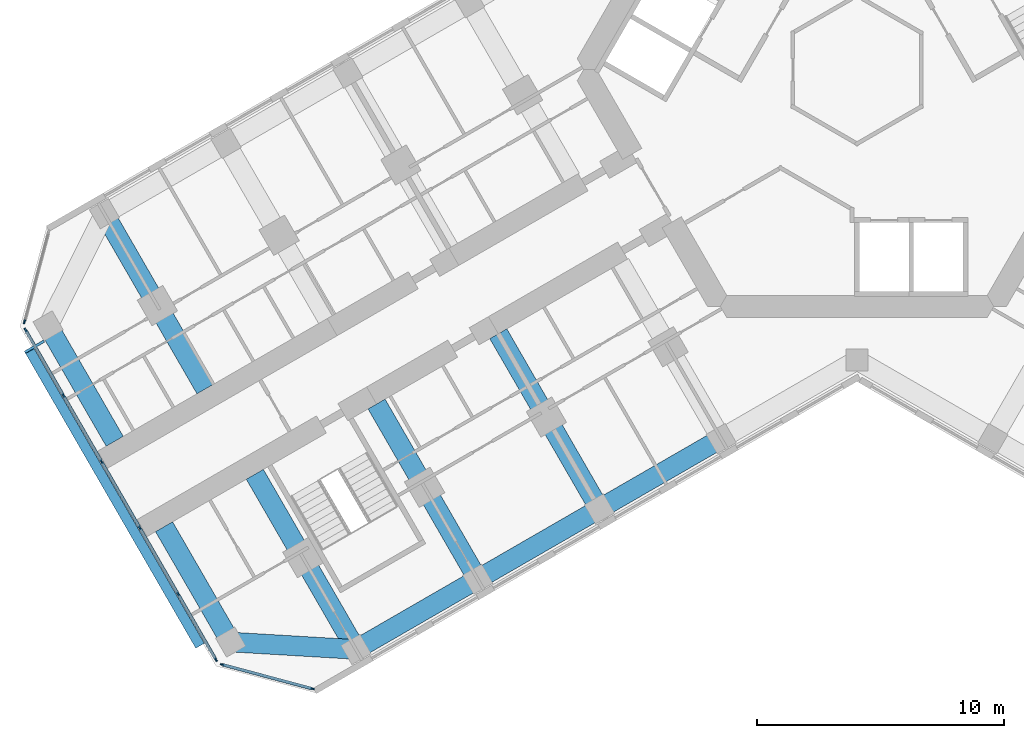
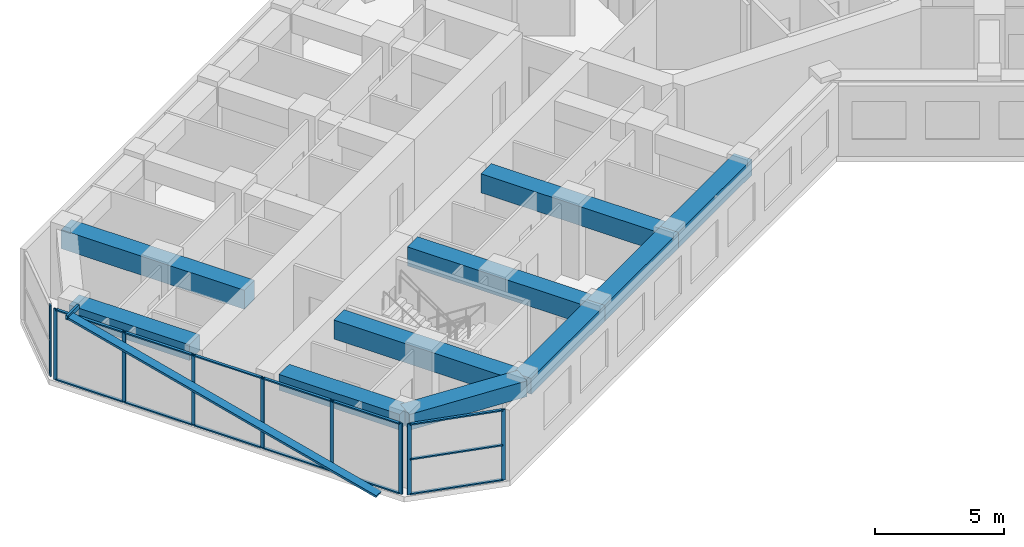
# One storey, part 2 of 19: 24 members, 10 beams, 3 elements without a shape of their own.
"""IFC4 building model written with IfcOpenShell, lengths in metres."""

import ifcopenshell
import ifcopenshell.guid

model = None  # the IFC model being written
_history = None  # IfcOwnerHistory: only IFC2X3 demands one
_inside = {}  # id of a spatial element -> (the spatial element, [elements in it])
_under = {}  # id of a project, library or spatial element -> (it, [spatial elements below it])
_declared = {}  # id of a project -> (the project, [libraries it declares])
_typed = {}  # id of a type object -> (the type object, [elements of that type])
_made_of = {}  # id of a material, layer set ... -> (it, [elements and type objects made of it])


def new_model(schema):
    """Start an empty IFC model of exactly this schema.

    Asked for "IFC4X3", IfcOpenShell would pick the latest addendum, in which some entities
    have other attributes; the version numbers below select the first issue.
    IFC2X3 requires an IfcOwnerHistory on every rooted entity: one is made here for all.
    """
    global model, _history
    if schema == "IFC4X3":
        model = ifcopenshell.file(schema_version=(4, 3, 0, 0))
    else:
        model = ifcopenshell.file(schema=schema)
    _inside.clear()
    _under.clear()
    _declared.clear()
    _typed.clear()
    _made_of.clear()
    _history = None
    if model.schema == "IFC2X3":
        org = make("IfcOrganization", Name="unknown")
        user = make(
            "IfcPersonAndOrganization",
            ThePerson=make("IfcPerson", FamilyName="unknown"),
            TheOrganization=org,
        )
        app = make(
            "IfcApplication",
            ApplicationDeveloper=org,
            Version="unknown",
            ApplicationFullName="unknown",
            ApplicationIdentifier="unknown",
        )
        _history = make(
            "IfcOwnerHistory",
            OwningUser=user,
            OwningApplication=app,
            ChangeAction="ADDED",
            CreationDate=0,
        )
    return model


def make(cls, **values):
    """One entity of the class cls with the attributes given. An attribute that is None is left unset."""
    return model.create_entity(
        cls, **{name: value for name, value in values.items() if value is not None}
    )


def rooted(cls, **values):
    """An entity with a GlobalId (a new one), such as an element, a storey or a relation."""
    return make(cls, GlobalId=ifcopenshell.guid.new(), OwnerHistory=_history, **values)


def si_unit(unit_type, name, prefix=None):
    """IfcSIUnit, for example si_unit("LENGTHUNIT", "METRE", prefix="MILLI")."""
    return make("IfcSIUnit", UnitType=unit_type, Prefix=prefix, Name=name)


def assignment(units):
    """IfcUnitAssignment: the units of a project."""
    return None if units is None else make("IfcUnitAssignment", Units=units)


def point(xyz):
    """IfcCartesianPoint."""
    return None if xyz is None else make("IfcCartesianPoint", Coordinates=xyz)


def direction(xyz):
    """IfcDirection."""
    return None if xyz is None else make("IfcDirection", DirectionRatios=xyz)


def frame(location, z_axis=None, x_axis=None):
    """IfcAxis2Placement3D, a coordinate frame: its origin and axes. An axis left out is left unset."""
    return make(
        "IfcAxis2Placement3D",
        Location=point(location),
        Axis=direction(z_axis),
        RefDirection=direction(x_axis),
    )


def frame_2d(location, x_axis=None):
    """IfcAxis2Placement2D, a coordinate frame in the plane: its origin and x axis."""
    return make(
        "IfcAxis2Placement2D", Location=point(location), RefDirection=direction(x_axis)
    )


def origin():
    """The frame at (0, 0, 0) with its axes left unset."""
    return frame((0.0, 0.0, 0.0))


def origin_2d():
    """The frame at (0, 0) in the plane with its x axis left unset."""
    return frame_2d((0.0, 0.0))


def place(relative_to, where):
    """IfcLocalPlacement: puts the frame where relative to a parent placement (None: the world)."""
    return make(
        "IfcLocalPlacement", PlacementRelTo=relative_to, RelativePlacement=where
    )


def context(
    kind, dimensions, precision=None, world=None, true_north=None, identifier=None
):
    """IfcGeometricRepresentationContext, for example the 3D "Model" context."""
    return make(
        "IfcGeometricRepresentationContext",
        ContextIdentifier=identifier,
        ContextType=kind,
        CoordinateSpaceDimension=dimensions,
        Precision=precision,
        WorldCoordinateSystem=world,
        TrueNorth=true_north,
    )


def subcontext(parent, identifier, kind, view, scale=None):
    """IfcGeometricRepresentationSubContext, for example "Body" below "Model"."""
    return make(
        "IfcGeometricRepresentationSubContext",
        ContextIdentifier=identifier,
        ContextType=kind,
        ParentContext=parent,
        TargetScale=scale,
        TargetView=view,
    )


def project(units=None, contexts=None):
    """IfcProject with its units and contexts."""
    return rooted(
        "IfcProject",
        Name="project",
        RepresentationContexts=contexts,
        UnitsInContext=assignment(units),
    )


def spatial(cls, under=None, at=None, **own):
    """A site, building, storey or space (cls), placed at a placement, below another one or the project."""
    s = rooted(cls, ObjectPlacement=at, **own)
    if under is not None:
        _under.setdefault(under.id(), (under, []))[1].append(s)
    return s


def profile(cls, at=None, kind="AREA", **sizes):
    """A parametric profile (cls). Its sizes go by their IFC names, for example OverallWidth=200.0."""
    return make(cls, ProfileType=kind, Position=at, **sizes)


def rectangle(**sizes):
    """IfcRectangleProfileDef."""
    return profile("IfcRectangleProfileDef", **sizes)


def hollow_rectangle(**sizes):
    """IfcRectangleHollowProfileDef."""
    return profile("IfcRectangleHollowProfileDef", **sizes)


def extrude(swept, where, along, depth):
    """IfcExtrudedAreaSolid: the profile swept, set in the frame where, extruded along a direction by depth."""
    return make(
        "IfcExtrudedAreaSolid",
        SweptArea=swept,
        Position=where,
        ExtrudedDirection=direction(along),
        Depth=depth,
    )


def shape(context_of_items, identifier, shape_type, items):
    """IfcShapeRepresentation: the items that make up one representation, for example the "Body"."""
    return make(
        "IfcShapeRepresentation",
        ContextOfItems=context_of_items,
        RepresentationIdentifier=identifier,
        RepresentationType=shape_type,
        Items=items,
    )


def material(Name=None, Category=None):
    """IfcMaterial."""
    return make("IfcMaterial", Name=Name, Category=Category)


def material_profile(
    of_material, cross_section, Name=None, Category=None, Priority=None
):
    """IfcMaterialProfile: a cross section and its material."""
    return make(
        "IfcMaterialProfile",
        Name=Name,
        Material=of_material,
        Profile=cross_section,
        Priority=Priority,
        Category=Category,
    )


def profile_set(profiles, Name=None, composite=None):
    """IfcMaterialProfileSet."""
    return make(
        "IfcMaterialProfileSet",
        Name=Name,
        MaterialProfiles=profiles,
        CompositeProfile=composite,
    )


def made_of(thing, what):
    """Note that an element or type object is made of a material, layer set ...; save() writes the relation."""
    if what is not None:
        _made_of.setdefault(what.id(), (what, []))[1].append(thing)
    return thing


def type_object(cls, material=None, **own):
    """A type object (cls), such as IfcWallType, which elements share."""
    return made_of(rooted(cls, **own), material)


def element(
    cls,
    number,
    at=None,
    inside=None,
    cuts=None,
    type_object=None,
    material=None,
    context=None,
    identifier="Body",
    shape_type=None,
    held_by="IfcProductDefinitionShape",
    body=None,
    shapes=None,
    **own,
):
    """One element of the class cls, such as IfcWall. Its Tag is "e" and its number.

    at: its placement. inside: the storey or other place that contains it. cuts: it is an
    opening in that element (IfcRelVoidsElement). A single representation is given by context,
    identifier, shape_type and body (its items); several are given by shapes. held_by: the class
    of the entity that holds the representations. save() writes the other relations.
    """
    e = rooted(cls, Tag="e%d" % number, ObjectPlacement=at, **own)
    if body is not None:
        shapes = [shape(context, identifier, shape_type, body)]
    if shapes is not None:
        e.Representation = make(held_by, Representations=shapes)
    if inside is not None:
        _inside.setdefault(inside.id(), (inside, []))[1].append(e)
    if cuts is not None:
        rooted(
            "IfcRelVoidsElement", RelatingBuildingElement=cuts, RelatedOpeningElement=e
        )
    if type_object is not None:
        _typed.setdefault(type_object.id(), (type_object, []))[1].append(e)
    return made_of(e, material)


def aggregate(whole, parts):
    """IfcRelAggregates: a whole, such as a stair, and the parts it consists of."""
    return rooted("IfcRelAggregates", RelatingObject=whole, RelatedObjects=parts)


def save(model, path):
    """Write the relations noted so far, then the file.

    IfcRelAggregates (storeys below a building ...), IfcRelContainedInSpatialStructure (elements
    in a storey), IfcRelDefinesByType, IfcRelAssociatesMaterial and IfcRelDeclares: one each for
    every whole, place, type object, material and project.
    """
    for whole, parts in _under.values():
        aggregate(whole, parts)
    for where, things in _inside.values():
        rooted(
            "IfcRelContainedInSpatialStructure",
            RelatedElements=things,
            RelatingStructure=where,
        )
    for kind, things in _typed.values():
        rooted("IfcRelDefinesByType", RelatedObjects=things, RelatingType=kind)
    for what, things in _made_of.values():
        rooted("IfcRelAssociatesMaterial", RelatedObjects=things, RelatingMaterial=what)
    for by, libraries in _declared.values():
        rooted("IfcRelDeclares", RelatingContext=by, RelatedDefinitions=libraries)
    model.write(path)


model = new_model("IFC4")

# Units and contexts
model_context = context("Model", 3, precision=1e-05, world=origin(), true_north=direction((0.0, 1.0)))
body_context = subcontext(model_context, "Body", "Model", "MODEL_VIEW")
ifc_project = project(units=[si_unit("LENGTHUNIT", "METRE"), si_unit("AREAUNIT", "SQUARE_METRE"), si_unit("VOLUMEUNIT", "CUBIC_METRE"), si_unit("PLANEANGLEUNIT", "RADIAN"), si_unit("MASSUNIT", "GRAM", prefix="KILO")], contexts=[model_context])

# Site, building, storey
site_placement = place(None, origin())
site = spatial("IfcSite", under=ifc_project, at=site_placement, CompositionType="ELEMENT")
building_placement = place(site_placement, origin())
building = spatial("IfcBuilding", under=site, at=building_placement, Name="Kosmar Iwan School Tower", CompositionType="ELEMENT")
storey_placement = place(building_placement, frame((0.0, 0.0, 165.199951171875)))
storey = spatial("IfcBuildingStorey", under=building, at=storey_placement, Name="L41", CompositionType="ELEMENT", Elevation=165.199951171875)

# Members
ifc_material_1 = material(Name="Black anodised aluminium", Category="aluminium")
ifc_material_profile_1 = material_profile(ifc_material_1, rectangle(XDim=0.10009765625, YDim=0.39990234375, at=origin_2d()), Name="FIN 100x400")
ifc_profile_set_1 = profile_set([ifc_material_profile_1], Name="Black anodised aluminium")
member_type_1 = type_object("IfcMemberType", Name="Diagonal fin 100x400", PredefinedType="USERDEFINED", material=ifc_profile_set_1)
member_1_placement = place(storey_placement, frame((-26.645263671875, -23.34912109375, -0.14990234375), z_axis=(-0.483795538458, 0.837973939202, 0.252470897702), x_axis=(0.126233699175, -0.218647221293, 0.967604488318)))
element("IfcMember", 1, at=member_1_placement, inside=storey, type_object=member_type_1, Name="Diagonal fin L41-F13", ObjectType="FIN", PredefinedType="USERDEFINED", context=body_context, shape_type="SweptSolid", body=[
    extrude(rectangle(XDim=0.10009765625, YDim=0.39990234375, at=origin_2d()), origin(), (0.0, 0.0, 1.0), 14.258544921875),
])
ifc_material_2 = material(Name="Steel S355", Category="steel")
ifc_material_profile_2 = material_profile(ifc_material_2, hollow_rectangle(XDim=0.10009765625, YDim=0.199951171875, WallThickness=0.008056640625, at=origin_2d()), Name="RHS 200x100x8")
ifc_profile_set_2 = profile_set([ifc_material_profile_2], Name="Steel S355")
member_type_2 = type_object("IfcMemberType", Name="Fin bracket RHS 200x100", PredefinedType="USERDEFINED", material=ifc_profile_set_2)
member_2_placement = place(storey_placement, frame((-32.963134765625, -11.006103515625, 3.47509765625), z_axis=(-0.866081705922, -0.499902469156, 0.0), x_axis=(0.499902469156, -0.866081705922, 0.0)))
element("IfcMember", 2, at=member_2_placement, inside=storey, type_object=member_type_2, Name="Fin bracket L42", ObjectType="FIN BRACKET", PredefinedType="USERDEFINED", context=body_context, shape_type="SweptSolid", body=[
    extrude(hollow_rectangle(XDim=0.10009765625, YDim=0.199951171875, WallThickness=0.008056640625, at=origin_2d()), origin(), (0.0, 0.0, 1.0), 0.900146484375),
])

# Curtain wall, member
ifc_material_3 = material(Name="Dark glass in black aluminium frame", Category="aluminium")
curtain_wall_type_1 = type_object("IfcCurtainWallType", Name="Chamfer curtain wall dark glass", PredefinedType="USERDEFINED", material=ifc_material_3)
curtain_wall_1_placement = place(storey_placement, origin())
curtain_wall_1 = element("IfcCurtainWall", 3, at=curtain_wall_1_placement, inside=storey, type_object=curtain_wall_type_1, Name="Curtain wall L41-F12", ObjectType="FACETED CURTAIN WALL", PredefinedType="USERDEFINED")
ifc_material_4 = material(Name="Black anodised aluminium", Category="aluminium")
ifc_material_profile_3 = material_profile(ifc_material_4, rectangle(XDim=0.06005859375, YDim=0.159912109375, at=origin_2d()), Name="MULLION 60x160")
ifc_profile_set_3 = profile_set([ifc_material_profile_3], Name="Black anodised aluminium")
member_type_3 = type_object("IfcMemberType", Name="Mullion 60x160", PredefinedType="MULLION", material=ifc_profile_set_3)
member_3_placement = place(storey_placement, frame((-33.7587890625, -10.2236328125, 0.0), z_axis=(0.0, 0.0, 1.0), x_axis=(0.965925875495, -0.258818861462, 0.0)))
member_3 = element("IfcMember", 4, at=member_3_placement, type_object=member_type_3, Name="CW2 mullion 2", PredefinedType="MULLION", context=body_context, shape_type="SweptSolid", body=[
    extrude(rectangle(XDim=0.06005859375, YDim=0.159912109375, at=origin_2d()), origin(), (0.0, 0.0, 1.0), 3.35009765625),
])
aggregate(curtain_wall_1, [member_3])

# Curtain wall, members
ifc_material_5 = material(Name="Dark glass in black aluminium frame", Category="aluminium")
curtain_wall_type_2 = type_object("IfcCurtainWallType", Name="Tower curtain wall dark glass", PredefinedType="USERDEFINED", material=ifc_material_5)
curtain_wall_2_placement = place(storey_placement, origin())
curtain_wall_2 = element("IfcCurtainWall", 5, at=curtain_wall_2_placement, inside=storey, type_object=curtain_wall_type_2, Name="Curtain wall L41-F13", ObjectType="UNITISED CURTAIN WALL", PredefinedType="USERDEFINED")
member_4_placement = place(storey_placement, frame((-33.71533203125, -10.55322265625, 0.0), z_axis=(0.0, 0.0, 1.0), x_axis=(0.866025405329, 0.499999997325, 0.0)))
member_4 = element("IfcMember", 6, at=member_4_placement, type_object=member_type_3, Name="CW1 mullion 1", PredefinedType="MULLION", context=body_context, shape_type="SweptSolid", body=[
    extrude(rectangle(XDim=0.06005859375, YDim=0.159912109375, at=origin_2d()), origin(), (0.0, 0.0, 1.0), 3.35009765625),
])
member_5_placement = place(storey_placement, frame((-32.1806640625, -13.21142578125, 0.0), z_axis=(0.0, 0.0, 1.0), x_axis=(0.866025405329, 0.499999997325, 0.0)))
member_5 = element("IfcMember", 7, at=member_5_placement, type_object=member_type_3, Name="CW1 mullion 2", PredefinedType="MULLION", context=body_context, shape_type="SweptSolid", body=[
    extrude(rectangle(XDim=0.06005859375, YDim=0.159912109375, at=origin_2d()), origin(), (0.0, 0.0, 1.0), 3.35009765625),
])
member_6_placement = place(storey_placement, frame((-30.631103515625, -15.8955078125, 0.0), z_axis=(0.0, 0.0, 1.0), x_axis=(0.866025405329, 0.499999997325, 0.0)))
member_6 = element("IfcMember", 8, at=member_6_placement, type_object=member_type_3, Name="CW1 mullion 3", PredefinedType="MULLION", context=body_context, shape_type="SweptSolid", body=[
    extrude(rectangle(XDim=0.06005859375, YDim=0.159912109375, at=origin_2d()), origin(), (0.0, 0.0, 1.0), 3.35009765625),
])
member_7_placement = place(storey_placement, frame((-29.081298828125, -18.57958984375, 0.0), z_axis=(0.0, 0.0, 1.0), x_axis=(0.866025405329, 0.499999997325, 0.0)))
member_7 = element("IfcMember", 9, at=member_7_placement, type_object=member_type_3, Name="CW1 mullion 4", PredefinedType="MULLION", context=body_context, shape_type="SweptSolid", body=[
    extrude(rectangle(XDim=0.06005859375, YDim=0.159912109375, at=origin_2d()), origin(), (0.0, 0.0, 1.0), 3.35009765625),
])
member_8_placement = place(storey_placement, frame((-27.53173828125, -21.263671875, 0.0), z_axis=(0.0, 0.0, 1.0), x_axis=(0.866025405329, 0.499999997325, 0.0)))
member_8 = element("IfcMember", 10, at=member_8_placement, type_object=member_type_3, Name="CW1 mullion 5", PredefinedType="MULLION", context=body_context, shape_type="SweptSolid", body=[
    extrude(rectangle(XDim=0.06005859375, YDim=0.159912109375, at=origin_2d()), origin(), (0.0, 0.0, 1.0), 3.35009765625),
])
member_9_placement = place(storey_placement, frame((-25.9970703125, -23.921630859375, 0.0), z_axis=(0.0, 0.0, 1.0), x_axis=(0.866025405329, 0.499999997325, 0.0)))
member_9 = element("IfcMember", 11, at=member_9_placement, type_object=member_type_3, Name="CW1 mullion 6", PredefinedType="MULLION", context=body_context, shape_type="SweptSolid", body=[
    extrude(rectangle(XDim=0.06005859375, YDim=0.159912109375, at=origin_2d()), origin(), (0.0, 0.0, 1.0), 3.35009765625),
])

curtain_wall_3_placement = place(storey_placement, origin())
curtain_wall_3 = element("IfcCurtainWall", 12, at=curtain_wall_3_placement, inside=storey, type_object=curtain_wall_type_1, Name="Curtain wall L41-F14", ObjectType="FACETED CURTAIN WALL", PredefinedType="USERDEFINED")
member_10_placement = place(storey_placement, frame((-25.733154296875, -24.124267578125, 0.0), z_axis=(0.0, 0.0, 1.0), x_axis=(0.258818861462, 0.965925875495, 0.0)))
member_10 = element("IfcMember", 13, at=member_10_placement, type_object=member_type_3, Name="CW2 mullion 1", PredefinedType="MULLION", context=body_context, shape_type="SweptSolid", body=[
    extrude(rectangle(XDim=0.06005859375, YDim=0.159912109375, at=origin_2d()), origin(), (0.0, 0.0, 1.0), 3.35009765625),
])
member_11_placement = place(storey_placement, frame((-22.0830078125, -25.102294921875, 0.0), z_axis=(0.0, 0.0, 1.0), x_axis=(0.258818861462, 0.965925875495, 0.0)))
member_11 = element("IfcMember", 14, at=member_11_placement, type_object=member_type_3, Name="CW2 mullion 2", PredefinedType="MULLION", context=body_context, shape_type="SweptSolid", body=[
    extrude(rectangle(XDim=0.06005859375, YDim=0.159912109375, at=origin_2d()), origin(), (0.0, 0.0, 1.0), 3.35009765625),
])

# Beams
ifc_material_6 = material(Name="Concrete C50/60", Category="concrete")
ifc_material_profile_4 = material_profile(ifc_material_6, rectangle(XDim=0.800048828125, YDim=0.75, at=origin_2d()), Name="RC 800x750")
ifc_profile_set_4 = profile_set([ifc_material_profile_4], Name="Concrete C50/60")
beam_type_1 = type_object("IfcBeamType", Name="RC edge beam 800x750", PredefinedType="BEAM", material=ifc_profile_set_4)
beam_1_placement = place(storey_placement, frame((-5.5087890625, -14.95849609375, 2.97509765625), z_axis=(-0.866033658841, -0.49998570155, 0.0), x_axis=(0.49998570155, -0.866033658841, 0.0)))
element("IfcBeam", 15, at=beam_1_placement, inside=storey, type_object=beam_type_1, Name="Edge beam BL2", PredefinedType="BEAM", context=body_context, shape_type="SweptSolid", body=[
    extrude(rectangle(XDim=0.800048828125, YDim=0.75, at=origin_2d()), origin(), (0.0, 0.0, 1.0), 5.699951171875),
])
beam_2_placement = place(storey_placement, frame((-10.445068359375, -17.808349609375, 2.97509765625), z_axis=(-0.866025820012, -0.499999279071, 0.0), x_axis=(0.499999279071, -0.866025820012, 0.0)))
element("IfcBeam", 16, at=beam_2_placement, inside=storey, type_object=beam_type_1, Name="Edge beam BL3", PredefinedType="BEAM", context=body_context, shape_type="SweptSolid", body=[
    extrude(rectangle(XDim=0.800048828125, YDim=0.75, at=origin_2d()), origin(), (0.0, 0.0, 1.0), 5.7001953125),
])
beam_3_placement = place(storey_placement, frame((-15.381591796875, -20.658447265625, 2.97509765625), z_axis=(-0.866015111908, -0.50001782563, 0.0), x_axis=(0.50001782563, -0.866015111908, 0.0)))
element("IfcBeam", 17, at=beam_3_placement, inside=storey, type_object=beam_type_1, Name="Edge beam BL4", PredefinedType="BEAM", context=body_context, shape_type="SweptSolid", body=[
    extrude(rectangle(XDim=0.800048828125, YDim=0.75, at=origin_2d()), origin(), (0.0, 0.0, 1.0), 5.699951171875),
])
ifc_material_7 = material(Name="Concrete C50/60", Category="concrete")
ifc_material_profile_5 = material_profile(ifc_material_7, rectangle(XDim=0.800048828125, YDim=0.75, at=origin_2d()), Name="RC 800x750")
ifc_profile_set_5 = profile_set([ifc_material_profile_5], Name="Concrete C50/60")
beam_type_2 = type_object("IfcBeamType", Name="RC tip beam 800x750", PredefinedType="BEAM", material=ifc_profile_set_5)
beam_4_placement = place(storey_placement, frame((-20.31787109375, -23.508544921875, 2.97509765625), z_axis=(-0.998260616478, 0.058955420358, 0.0), x_axis=(-0.058955420358, -0.998260616478, 0.0)))
element("IfcBeam", 18, at=beam_4_placement, inside=storey, type_object=beam_type_2, Name="Tip beam BL", PredefinedType="BEAM", context=body_context, shape_type="SweptSolid", body=[
    extrude(rectangle(XDim=0.800048828125, YDim=0.75, at=origin_2d()), origin(), (0.0, 0.0, 1.0), 5.08935546875),
])
for number, where, z_axis, x_axis, name in (
    (19, (-25.3984375, -23.20849609375, 2.97509765625), (-0.499995103361, 0.866028230842, 0.0), (-0.866028230842, -0.499995103361, 0.0), "Tip beam BL to corridor wall"),
    (20, (-32.79833984375, -10.391357421875, 2.97509765625), (0.499995103361, -0.866028230842, 0.0), (0.866028230842, 0.499995103361, 0.0), "Tip beam BR to corridor wall"),
):
    element("IfcBeam", number, at=place(storey_placement, frame(where, z_axis=z_axis, x_axis=x_axis)), inside=storey, type_object=beam_type_2, Name=name, PredefinedType="BEAM", context=body_context, shape_type="SweptSolid", body=[
        extrude(rectangle(XDim=0.800048828125, YDim=0.75, at=origin_2d()), origin(), (0.0, 0.0, 1.0), 5.39990234375),
    ])
ifc_material_8 = material(Name="Concrete C50/60", Category="concrete")
ifc_material_profile_6 = material_profile(ifc_material_8, rectangle(XDim=0.800048828125, YDim=0.89990234375, at=origin_2d()), Name="RC 800x900")
ifc_profile_set_6 = profile_set([ifc_material_profile_6], Name="Concrete C50/60")
beam_type_3 = type_object("IfcBeamType", Name="RC transverse beam 800x900", PredefinedType="BEAM", material=ifc_profile_set_6)
for number, where, z_axis, x_axis, name in (
    (21, (-10.445068359375, -17.808349609375, 2.900146484375), (-0.500013681986, 0.866017504342, 0.0), (-0.866017504342, -0.500013681986, 0.0), "Transverse beam BL2"),
    (22, (-15.381591796875, -20.658447265625, 2.900146484375), (-0.49999135188, 0.866030396721, 0.0), (-0.866030396721, -0.49999135188, 0.0), "Transverse beam BL3"),
    (23, (-20.31787109375, -23.508544921875, 2.900146484375), (-0.499978459874, 0.866037839625, 0.0), (-0.866037839625, -0.499978459874, 0.0), "Transverse beam BL4"),
    (24, (-30.517822265625, -5.841552734375, 2.900146484375), (0.500013681986, -0.866017504342, 0.0), (0.866017504342, 0.500013681986, 0.0), "Transverse beam BR4"),
):
    element("IfcBeam", number, at=place(storey_placement, frame(where, z_axis=z_axis, x_axis=x_axis)), inside=storey, type_object=beam_type_3, Name=name, PredefinedType="BEAM", context=body_context, shape_type="SweptSolid", body=[
        extrude(rectangle(XDim=0.800048828125, YDim=0.89990234375, at=origin_2d()), origin(), (0.0, 0.0, 1.0), 8.199951171875),
    ])

# Member
ifc_material_9 = material(Name="Black anodised aluminium", Category="aluminium")
ifc_material_profile_7 = material_profile(ifc_material_9, rectangle(XDim=0.1201171875, YDim=0.06005859375, at=origin_2d()), Name="TRANSOM 60x120")
ifc_profile_set_7 = profile_set([ifc_material_profile_7], Name="Black anodised aluminium")
member_type_4 = type_object("IfcMemberType", Name="Transom 60x120", PredefinedType="USERDEFINED", material=ifc_profile_set_7)
member_12_placement = place(storey_placement, frame((-33.700439453125, -10.579345703125, 0.030029296875), z_axis=(0.500022102064, -0.866012642776, 0.0), x_axis=(0.866012642776, 0.500022102064, 0.0)))
member_12 = element("IfcMember", 25, at=member_12_placement, type_object=member_type_4, Name="CW1 transom 1.1", ObjectType="TRANSOM", PredefinedType="USERDEFINED", context=body_context, shape_type="SweptSolid", body=[
    extrude(rectangle(XDim=0.1201171875, YDim=0.06005859375, at=origin_2d()), origin(), (0.0, 0.0, 1.0), 3.009033203125),
])

member_13_placement = place(storey_placement, frame((-33.700439453125, -10.579345703125, 3.320068359375), z_axis=(0.500022102064, -0.866012642776, 0.0), x_axis=(0.866012642776, 0.500022102064, 0.0)))
member_13 = element("IfcMember", 26, at=member_13_placement, type_object=member_type_4, Name="CW1 transom 1.2", ObjectType="TRANSOM", PredefinedType="USERDEFINED", context=body_context, shape_type="SweptSolid", body=[
    extrude(rectangle(XDim=0.1201171875, YDim=0.06005859375, at=origin_2d()), origin(), (0.0, 0.0, 1.0), 3.009033203125),
])

member_14_placement = place(storey_placement, frame((-32.165771484375, -13.2373046875, 0.030029296875), z_axis=(0.500035348339, -0.866004994449, 0.0), x_axis=(0.866004994449, 0.500035348339, 0.0)))
member_14 = element("IfcMember", 27, at=member_14_placement, type_object=member_type_4, Name="CW1 transom 2.1", ObjectType="TRANSOM", PredefinedType="USERDEFINED", context=body_context, shape_type="SweptSolid", body=[
    extrude(rectangle(XDim=0.1201171875, YDim=0.06005859375, at=origin_2d()), origin(), (0.0, 0.0, 1.0), 3.039306640625),
])

member_15_placement = place(storey_placement, frame((-32.165771484375, -13.2373046875, 3.320068359375), z_axis=(0.500035348339, -0.866004994449, 0.0), x_axis=(0.866004994449, 0.500035348339, 0.0)))
member_15 = element("IfcMember", 28, at=member_15_placement, type_object=member_type_4, Name="CW1 transom 2.2", ObjectType="TRANSOM", PredefinedType="USERDEFINED", context=body_context, shape_type="SweptSolid", body=[
    extrude(rectangle(XDim=0.1201171875, YDim=0.06005859375, at=origin_2d()), origin(), (0.0, 0.0, 1.0), 3.039306640625),
])

member_16_placement = place(storey_placement, frame((-30.615966796875, -15.92138671875, 0.030029296875), z_axis=(0.499975102327, -0.866039777986, 0.0), x_axis=(0.866039777986, 0.499975102327, 0.0)))
member_16 = element("IfcMember", 29, at=member_16_placement, type_object=member_type_4, Name="CW1 transom 3.1", ObjectType="TRANSOM", PredefinedType="USERDEFINED", context=body_context, shape_type="SweptSolid", body=[
    extrude(rectangle(XDim=0.1201171875, YDim=0.06005859375, at=origin_2d()), origin(), (0.0, 0.0, 1.0), 3.039306640625),
])

member_17_placement = place(storey_placement, frame((-30.615966796875, -15.92138671875, 3.320068359375), z_axis=(0.499975102327, -0.866039777986, 0.0), x_axis=(0.866039777986, 0.499975102327, 0.0)))
member_17 = element("IfcMember", 30, at=member_17_placement, type_object=member_type_4, Name="CW1 transom 3.2", ObjectType="TRANSOM", PredefinedType="USERDEFINED", context=body_context, shape_type="SweptSolid", body=[
    extrude(rectangle(XDim=0.1201171875, YDim=0.06005859375, at=origin_2d()), origin(), (0.0, 0.0, 1.0), 3.039306640625),
])

member_18_placement = place(storey_placement, frame((-29.06640625, -18.60546875, 0.030029296875), z_axis=(0.499975102327, -0.866039777986, 0.0), x_axis=(0.866039777986, 0.499975102327, 0.0)))
member_18 = element("IfcMember", 31, at=member_18_placement, type_object=member_type_4, Name="CW1 transom 4.1", ObjectType="TRANSOM", PredefinedType="USERDEFINED", context=body_context, shape_type="SweptSolid", body=[
    extrude(rectangle(XDim=0.1201171875, YDim=0.06005859375, at=origin_2d()), origin(), (0.0, 0.0, 1.0), 3.039306640625),
])

member_19_placement = place(storey_placement, frame((-29.06640625, -18.60546875, 3.320068359375), z_axis=(0.499975102327, -0.866039777986, 0.0), x_axis=(0.866039777986, 0.499975102327, 0.0)))
member_19 = element("IfcMember", 32, at=member_19_placement, type_object=member_type_4, Name="CW1 transom 4.2", ObjectType="TRANSOM", PredefinedType="USERDEFINED", context=body_context, shape_type="SweptSolid", body=[
    extrude(rectangle(XDim=0.1201171875, YDim=0.06005859375, at=origin_2d()), origin(), (0.0, 0.0, 1.0), 3.039306640625),
])

member_20_placement = place(storey_placement, frame((-27.516845703125, -21.28955078125, 0.030029296875), z_axis=(0.499986971506, -0.866032925658, 0.0), x_axis=(0.866032925658, 0.499986971506, 0.0)))
member_20 = element("IfcMember", 33, at=member_20_placement, type_object=member_type_4, Name="CW1 transom 5.1", ObjectType="TRANSOM", PredefinedType="USERDEFINED", context=body_context, shape_type="SweptSolid", body=[
    extrude(rectangle(XDim=0.1201171875, YDim=0.06005859375, at=origin_2d()), origin(), (0.0, 0.0, 1.0), 3.00927734375),
])

member_21_placement = place(storey_placement, frame((-27.516845703125, -21.28955078125, 3.320068359375), z_axis=(0.499986971506, -0.866032925658, 0.0), x_axis=(0.866032925658, 0.499986971506, 0.0)))
member_21 = element("IfcMember", 34, at=member_21_placement, type_object=member_type_4, Name="CW1 transom 5.2", ObjectType="TRANSOM", PredefinedType="USERDEFINED", context=body_context, shape_type="SweptSolid", body=[
    extrude(rectangle(XDim=0.1201171875, YDim=0.06005859375, at=origin_2d()), origin(), (0.0, 0.0, 1.0), 3.00927734375),
])

aggregate(curtain_wall_2, [member_4, member_5, member_6, member_7, member_8, member_9, member_12, member_13, member_14, member_15, member_16, member_17, member_18, member_19, member_20, member_21])

member_22_placement = place(storey_placement, frame((-25.704345703125, -24.1318359375, 0.030029296875), z_axis=(0.965923731726, -0.258826861991, 0.0), x_axis=(0.258826861991, 0.965923731726, 0.0)))
member_22 = element("IfcMember", 35, at=member_22_placement, type_object=member_type_4, Name="CW2 transom 1.1", ObjectType="TRANSOM", PredefinedType="USERDEFINED", context=body_context, shape_type="SweptSolid", body=[
    extrude(rectangle(XDim=0.1201171875, YDim=0.06005859375, at=origin_2d()), origin(), (0.0, 0.0, 1.0), 3.71923828125),
])

member_23_placement = place(storey_placement, frame((-25.704345703125, -24.1318359375, 1.675048828125), z_axis=(0.965923731726, -0.258826861991, 0.0), x_axis=(0.258826861991, 0.965923731726, 0.0)))
member_23 = element("IfcMember", 36, at=member_23_placement, type_object=member_type_4, Name="CW2 transom 1.2", ObjectType="TRANSOM", PredefinedType="USERDEFINED", context=body_context, shape_type="SweptSolid", body=[
    extrude(rectangle(XDim=0.1201171875, YDim=0.06005859375, at=origin_2d()), origin(), (0.0, 0.0, 1.0), 3.71923828125),
])

member_24_placement = place(storey_placement, frame((-25.704345703125, -24.1318359375, 3.320068359375), z_axis=(0.965923731726, -0.258826861991, 0.0), x_axis=(0.258826861991, 0.965923731726, 0.0)))
member_24 = element("IfcMember", 37, at=member_24_placement, type_object=member_type_4, Name="CW2 transom 1.3", ObjectType="TRANSOM", PredefinedType="USERDEFINED", context=body_context, shape_type="SweptSolid", body=[
    extrude(rectangle(XDim=0.1201171875, YDim=0.06005859375, at=origin_2d()), origin(), (0.0, 0.0, 1.0), 3.71923828125),
])

aggregate(curtain_wall_3, [member_10, member_11, member_22, member_23, member_24])

save(model, "model.ifc")
